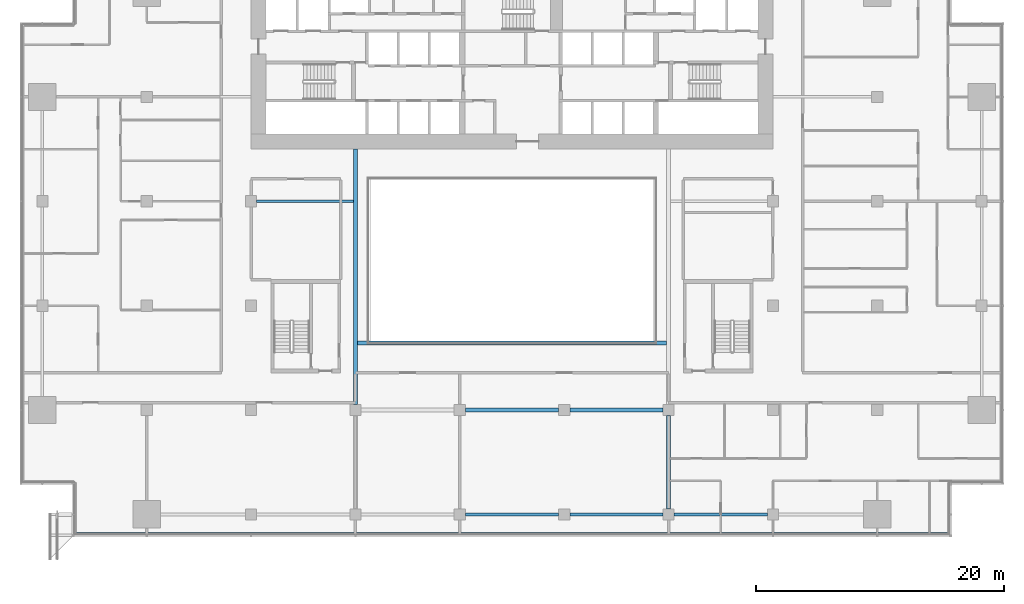
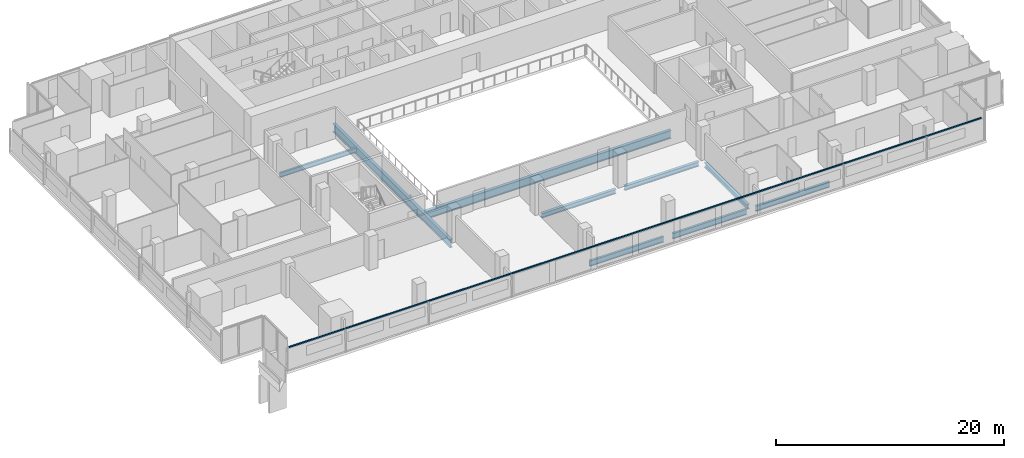
# One storey, part 7 of 25: 9 beams, 1 member, 1 element without a shape of its own.
"""IFC4 building model written with IfcOpenShell, lengths in metres."""

import ifcopenshell
import ifcopenshell.guid

model = None  # the IFC model being written
_history = None  # IfcOwnerHistory: only IFC2X3 demands one
_inside = {}  # id of a spatial element -> (the spatial element, [elements in it])
_under = {}  # id of a project, library or spatial element -> (it, [spatial elements below it])
_declared = {}  # id of a project -> (the project, [libraries it declares])
_typed = {}  # id of a type object -> (the type object, [elements of that type])
_made_of = {}  # id of a material, layer set ... -> (it, [elements and type objects made of it])


def new_model(schema):
    """Start an empty IFC model of exactly this schema.

    Asked for "IFC4X3", IfcOpenShell would pick the latest addendum, in which some entities
    have other attributes; the version numbers below select the first issue.
    IFC2X3 requires an IfcOwnerHistory on every rooted entity: one is made here for all.
    """
    global model, _history
    if schema == "IFC4X3":
        model = ifcopenshell.file(schema_version=(4, 3, 0, 0))
    else:
        model = ifcopenshell.file(schema=schema)
    _inside.clear()
    _under.clear()
    _declared.clear()
    _typed.clear()
    _made_of.clear()
    _history = None
    if model.schema == "IFC2X3":
        org = make("IfcOrganization", Name="unknown")
        user = make(
            "IfcPersonAndOrganization",
            ThePerson=make("IfcPerson", FamilyName="unknown"),
            TheOrganization=org,
        )
        app = make(
            "IfcApplication",
            ApplicationDeveloper=org,
            Version="unknown",
            ApplicationFullName="unknown",
            ApplicationIdentifier="unknown",
        )
        _history = make(
            "IfcOwnerHistory",
            OwningUser=user,
            OwningApplication=app,
            ChangeAction="ADDED",
            CreationDate=0,
        )
    return model


def make(cls, **values):
    """One entity of the class cls with the attributes given. An attribute that is None is left unset."""
    return model.create_entity(
        cls, **{name: value for name, value in values.items() if value is not None}
    )


def rooted(cls, **values):
    """An entity with a GlobalId (a new one), such as an element, a storey or a relation."""
    return make(cls, GlobalId=ifcopenshell.guid.new(), OwnerHistory=_history, **values)


def si_unit(unit_type, name, prefix=None):
    """IfcSIUnit, for example si_unit("LENGTHUNIT", "METRE", prefix="MILLI")."""
    return make("IfcSIUnit", UnitType=unit_type, Prefix=prefix, Name=name)


def assignment(units):
    """IfcUnitAssignment: the units of a project."""
    return None if units is None else make("IfcUnitAssignment", Units=units)


def point(xyz):
    """IfcCartesianPoint."""
    return None if xyz is None else make("IfcCartesianPoint", Coordinates=xyz)


def direction(xyz):
    """IfcDirection."""
    return None if xyz is None else make("IfcDirection", DirectionRatios=xyz)


def frame(location, z_axis=None, x_axis=None):
    """IfcAxis2Placement3D, a coordinate frame: its origin and axes. An axis left out is left unset."""
    return make(
        "IfcAxis2Placement3D",
        Location=point(location),
        Axis=direction(z_axis),
        RefDirection=direction(x_axis),
    )


def frame_2d(location, x_axis=None):
    """IfcAxis2Placement2D, a coordinate frame in the plane: its origin and x axis."""
    return make(
        "IfcAxis2Placement2D", Location=point(location), RefDirection=direction(x_axis)
    )


def origin():
    """The frame at (0, 0, 0) with its axes left unset."""
    return frame((0.0, 0.0, 0.0))


def origin_2d():
    """The frame at (0, 0) in the plane with its x axis left unset."""
    return frame_2d((0.0, 0.0))


def place(relative_to, where):
    """IfcLocalPlacement: puts the frame where relative to a parent placement (None: the world)."""
    return make(
        "IfcLocalPlacement", PlacementRelTo=relative_to, RelativePlacement=where
    )


def context(
    kind, dimensions, precision=None, world=None, true_north=None, identifier=None
):
    """IfcGeometricRepresentationContext, for example the 3D "Model" context."""
    return make(
        "IfcGeometricRepresentationContext",
        ContextIdentifier=identifier,
        ContextType=kind,
        CoordinateSpaceDimension=dimensions,
        Precision=precision,
        WorldCoordinateSystem=world,
        TrueNorth=true_north,
    )


def subcontext(parent, identifier, kind, view, scale=None):
    """IfcGeometricRepresentationSubContext, for example "Body" below "Model"."""
    return make(
        "IfcGeometricRepresentationSubContext",
        ContextIdentifier=identifier,
        ContextType=kind,
        ParentContext=parent,
        TargetScale=scale,
        TargetView=view,
    )


def project(units=None, contexts=None):
    """IfcProject with its units and contexts."""
    return rooted(
        "IfcProject",
        Name="project",
        RepresentationContexts=contexts,
        UnitsInContext=assignment(units),
    )


def spatial(cls, under=None, at=None, **own):
    """A site, building, storey or space (cls), placed at a placement, below another one or the project."""
    s = rooted(cls, ObjectPlacement=at, **own)
    if under is not None:
        _under.setdefault(under.id(), (under, []))[1].append(s)
    return s


def profile(cls, at=None, kind="AREA", **sizes):
    """A parametric profile (cls). Its sizes go by their IFC names, for example OverallWidth=200.0."""
    return make(cls, ProfileType=kind, Position=at, **sizes)


def rectangle(**sizes):
    """IfcRectangleProfileDef."""
    return profile("IfcRectangleProfileDef", **sizes)


def i_section(**sizes):
    """IfcIShapeProfileDef."""
    return profile("IfcIShapeProfileDef", **sizes)


def extrude(swept, where, along, depth):
    """IfcExtrudedAreaSolid: the profile swept, set in the frame where, extruded along a direction by depth."""
    return make(
        "IfcExtrudedAreaSolid",
        SweptArea=swept,
        Position=where,
        ExtrudedDirection=direction(along),
        Depth=depth,
    )


def shape(context_of_items, identifier, shape_type, items):
    """IfcShapeRepresentation: the items that make up one representation, for example the "Body"."""
    return make(
        "IfcShapeRepresentation",
        ContextOfItems=context_of_items,
        RepresentationIdentifier=identifier,
        RepresentationType=shape_type,
        Items=items,
    )


def material(Name=None, Category=None):
    """IfcMaterial."""
    return make("IfcMaterial", Name=Name, Category=Category)


def material_profile(
    of_material, cross_section, Name=None, Category=None, Priority=None
):
    """IfcMaterialProfile: a cross section and its material."""
    return make(
        "IfcMaterialProfile",
        Name=Name,
        Material=of_material,
        Profile=cross_section,
        Priority=Priority,
        Category=Category,
    )


def profile_set(profiles, Name=None, composite=None):
    """IfcMaterialProfileSet."""
    return make(
        "IfcMaterialProfileSet",
        Name=Name,
        MaterialProfiles=profiles,
        CompositeProfile=composite,
    )


def made_of(thing, what):
    """Note that an element or type object is made of a material, layer set ...; save() writes the relation."""
    if what is not None:
        _made_of.setdefault(what.id(), (what, []))[1].append(thing)
    return thing


def type_object(cls, material=None, **own):
    """A type object (cls), such as IfcWallType, which elements share."""
    return made_of(rooted(cls, **own), material)


def element(
    cls,
    number,
    at=None,
    inside=None,
    cuts=None,
    type_object=None,
    material=None,
    context=None,
    identifier="Body",
    shape_type=None,
    held_by="IfcProductDefinitionShape",
    body=None,
    shapes=None,
    **own,
):
    """One element of the class cls, such as IfcWall. Its Tag is "e" and its number.

    at: its placement. inside: the storey or other place that contains it. cuts: it is an
    opening in that element (IfcRelVoidsElement). A single representation is given by context,
    identifier, shape_type and body (its items); several are given by shapes. held_by: the class
    of the entity that holds the representations. save() writes the other relations.
    """
    e = rooted(cls, Tag="e%d" % number, ObjectPlacement=at, **own)
    if body is not None:
        shapes = [shape(context, identifier, shape_type, body)]
    if shapes is not None:
        e.Representation = make(held_by, Representations=shapes)
    if inside is not None:
        _inside.setdefault(inside.id(), (inside, []))[1].append(e)
    if cuts is not None:
        rooted(
            "IfcRelVoidsElement", RelatingBuildingElement=cuts, RelatedOpeningElement=e
        )
    if type_object is not None:
        _typed.setdefault(type_object.id(), (type_object, []))[1].append(e)
    return made_of(e, material)


def aggregate(whole, parts):
    """IfcRelAggregates: a whole, such as a stair, and the parts it consists of."""
    return rooted("IfcRelAggregates", RelatingObject=whole, RelatedObjects=parts)


def save(model, path):
    """Write the relations noted so far, then the file.

    IfcRelAggregates (storeys below a building ...), IfcRelContainedInSpatialStructure (elements
    in a storey), IfcRelDefinesByType, IfcRelAssociatesMaterial and IfcRelDeclares: one each for
    every whole, place, type object, material and project.
    """
    for whole, parts in _under.values():
        aggregate(whole, parts)
    for where, things in _inside.values():
        rooted(
            "IfcRelContainedInSpatialStructure",
            RelatedElements=things,
            RelatingStructure=where,
        )
    for kind, things in _typed.values():
        rooted("IfcRelDefinesByType", RelatedObjects=things, RelatingType=kind)
    for what, things in _made_of.values():
        rooted("IfcRelAssociatesMaterial", RelatedObjects=things, RelatingMaterial=what)
    for by, libraries in _declared.values():
        rooted("IfcRelDeclares", RelatingContext=by, RelatedDefinitions=libraries)
    model.write(path)


model = new_model("IFC4")

# Units and contexts
model_context = context("Model", 3, precision=1e-05, world=origin(), true_north=direction((0.0, 1.0)))
body_context = subcontext(model_context, "Body", "Model", "MODEL_VIEW")
ifc_project = project(units=[si_unit("LENGTHUNIT", "METRE"), si_unit("AREAUNIT", "SQUARE_METRE"), si_unit("VOLUMEUNIT", "CUBIC_METRE"), si_unit("PLANEANGLEUNIT", "RADIAN"), si_unit("MASSUNIT", "GRAM", prefix="KILO")], contexts=[model_context])

# Site, building, storey
site_placement = place(None, origin())
site = spatial("IfcSite", under=ifc_project, at=site_placement, CompositionType="ELEMENT")
building_placement = place(site_placement, origin())
building = spatial("IfcBuilding", under=site, at=building_placement, Name="Saffron Gate Tower", CompositionType="ELEMENT")
storey_placement = place(building_placement, frame((0.0, 0.0, 80.39990234375)))
storey = spatial("IfcBuildingStorey", under=building, at=storey_placement, Name="L19", CompositionType="ELEMENT", Elevation=80.39990234375)

# Beams
ifc_material_1 = material(Name="Structural steel S355", Category="steel")
ifc_material_profile_1 = material_profile(ifc_material_1, i_section(OverallWidth=0.199951171875, OverallDepth=0.5, WebThickness=0.01025390625, FlangeThickness=0.01611328125, FilletRadius=0.02099609375, at=origin_2d()))
ifc_profile_set_1 = profile_set([ifc_material_profile_1], Name="Structural steel S355")
beam_type_1 = type_object("IfcBeamType", Name="B10 IPE 500", PredefinedType="BEAM", material=ifc_profile_set_1)
beam_1_placement = place(storey_placement, frame((67.050048828125, 57.0, -0.52978515625), z_axis=(1.0, 0.0, 0.0), x_axis=(0.0, 1.0, 0.0)))
element("IfcBeam", 1, at=beam_1_placement, inside=storey, type_object=beam_type_1, Name="B10 CORE TIE BEAM", PredefinedType="BEAM", context=body_context, shape_type="SweptSolid", body=[
    extrude(i_section(OverallWidth=0.199951171875, OverallDepth=0.5, WebThickness=0.01025390625, FlangeThickness=0.01611328125, FilletRadius=0.02099609375, at=origin_2d()), origin(), (0.0, 0.0, 1.0), 7.800048828125),
])
ifc_material_profile_2 = material_profile(ifc_material_1, i_section(OverallWidth=0.219970703125, OverallDepth=0.60009765625, WebThickness=0.011962890625, FlangeThickness=0.01904296875, FilletRadius=0.02392578125, at=origin_2d()))
ifc_profile_set_2 = profile_set([ifc_material_profile_2], Name="Structural steel S355")
beam_type_2 = type_object("IfcBeamType", Name="B16 IPE 600", PredefinedType="SPANDREL", material=ifc_profile_set_2)
for number, where, z_axis, x_axis, name in (
    (2, (83.85009765625, 31.800048828125, -0.579833984375), (1.0, 0.0, 0.0), (0.0, 1.0, 0.0), "B16 SPANDREL BEAM"),
    (3, (92.25, 31.800048828125, -0.579833984375), (1.0, 0.0, 0.0), (0.0, 1.0, 0.0), "B16 SPANDREL BEAM"),
    (4, (100.64990234375, 31.800048828125, -0.579833984375), (1.0, 0.0, 0.0), (0.0, 1.0, 0.0), "B16 SPANDREL BEAM"),
):
    element("IfcBeam", number, at=place(storey_placement, frame(where, z_axis=z_axis, x_axis=x_axis)), inside=storey, type_object=beam_type_2, Name=name, PredefinedType="SPANDREL", context=body_context, shape_type="SweptSolid", body=[
        extrude(i_section(OverallWidth=0.219970703125, OverallDepth=0.60009765625, WebThickness=0.011962890625, FlangeThickness=0.01904296875, FilletRadius=0.02392578125, at=origin_2d()), origin(), (0.0, 0.0, 1.0), 7.5),
    ])
ifc_material_profile_3 = material_profile(ifc_material_1, i_section(OverallWidth=0.300048828125, OverallDepth=0.889892578125, WebThickness=0.01611328125, FlangeThickness=0.030029296875, FilletRadius=0.030029296875, at=origin_2d()))
ifc_profile_set_3 = profile_set([ifc_material_profile_3], Name="Structural steel S355")
beam_type_3 = type_object("IfcBeamType", Name="B19 HEA 900", PredefinedType="BEAM", material=ifc_profile_set_3)
beam_2_placement = place(storey_placement, frame((75.0, 40.64990234375, -0.724853515625), z_axis=(0.0, 1.0, 0.0), x_axis=(-1.0, 0.0, 0.0)))
element("IfcBeam", 5, at=beam_2_placement, inside=storey, type_object=beam_type_3, Name="B19 ATRIUM GIRDER", PredefinedType="BEAM", context=body_context, shape_type="SweptSolid", body=[
    extrude(i_section(OverallWidth=0.300048828125, OverallDepth=0.889892578125, WebThickness=0.01611328125, FlangeThickness=0.030029296875, FilletRadius=0.030029296875, at=origin_2d()), origin(), (0.0, 0.0, 1.0), 20.550048828125),
])
beam_3_placement = place(storey_placement, frame((75.14990234375, 45.60009765625, -0.724853515625), z_axis=(1.0, 0.0, 0.0), x_axis=(0.0, 1.0, 0.0)))
element("IfcBeam", 6, at=beam_3_placement, inside=storey, type_object=beam_type_3, Name="B19 ATRIUM GIRDER", PredefinedType="BEAM", context=body_context, shape_type="SweptSolid", body=[
    extrude(i_section(OverallWidth=0.300048828125, OverallDepth=0.889892578125, WebThickness=0.01611328125, FlangeThickness=0.030029296875, FilletRadius=0.030029296875, at=origin_2d()), origin(), (0.0, 0.0, 1.0), 24.900146484375),
])
ifc_material_profile_4 = material_profile(ifc_material_1, i_section(OverallWidth=0.300048828125, OverallDepth=0.489990234375, WebThickness=0.011962890625, FlangeThickness=0.02294921875, FilletRadius=0.027099609375, at=origin_2d()))
ifc_profile_set_4 = profile_set([ifc_material_profile_4], Name="Structural steel S355")
beam_type_4 = type_object("IfcBeamType", Name="B8 HEA 500", PredefinedType="BEAM", material=ifc_profile_set_4)
for number, where, z_axis, x_axis, name in (
    (7, (100.199951171875, 32.25, -0.52490234375), (0.0, 1.0, 0.0), (-1.0, 0.0, 0.0), "B8 FLOOR GIRDER"),
    (8, (83.85009765625, 40.199951171875, -0.52490234375), (1.0, 0.0, 0.0), (0.0, 1.0, 0.0), "B8 FLOOR GIRDER"),
    (9, (92.25, 40.199951171875, -0.52490234375), (1.0, 0.0, 0.0), (0.0, 1.0, 0.0), "B8 FLOOR GIRDER"),
):
    element("IfcBeam", number, at=place(storey_placement, frame(where, z_axis=z_axis, x_axis=x_axis)), inside=storey, type_object=beam_type_4, Name=name, PredefinedType="BEAM", context=body_context, shape_type="SweptSolid", body=[
        extrude(i_section(OverallWidth=0.300048828125, OverallDepth=0.489990234375, WebThickness=0.011962890625, FlangeThickness=0.02294921875, FilletRadius=0.027099609375, at=origin_2d()), origin(), (0.0, 0.0, 1.0), 7.5),
    ])

# Curtain wall, member
ifc_material_2 = material(Name="Aluminium, bronze anodised", Category="aluminium")
curtain_wall_type = type_object("IfcCurtainWallType", Name="CWS1 curtain wall front facade", PredefinedType="NOTDEFINED", material=ifc_material_2)
curtain_wall_placement = place(storey_placement, origin())
curtain_wall = element("IfcCurtainWall", 10, at=curtain_wall_placement, inside=storey, type_object=curtain_wall_type, Name="CWS1 run 1", PredefinedType="NOTDEFINED")
ifc_material_profile_5 = material_profile(ifc_material_2, rectangle(XDim=0.1201171875, YDim=0.1201171875, at=origin_2d()))
ifc_profile_set_5 = profile_set([ifc_material_profile_5], Name="Aluminium, bronze anodised")
member_type = type_object("IfcMemberType", Name="CWS1 head transom", PredefinedType="USERDEFINED", material=ifc_profile_set_5)
member_placement = place(storey_placement, frame((52.568115234375, 30.248046875, 2.35009765625), z_axis=(1.0, 0.0, 0.0), x_axis=(0.0, 1.0, 0.0)))
member = element("IfcMember", 11, at=member_placement, type_object=member_type, Name="CWS1 head transom", ObjectType="TRANSOM", PredefinedType="USERDEFINED", context=body_context, shape_type="SweptSolid", body=[
    extrude(rectangle(XDim=0.1201171875, YDim=0.1201171875, at=origin_2d()), origin(), (0.0, 0.0, 1.0), 70.06396484375),
])
aggregate(curtain_wall, [member])

save(model, "model.ifc")
